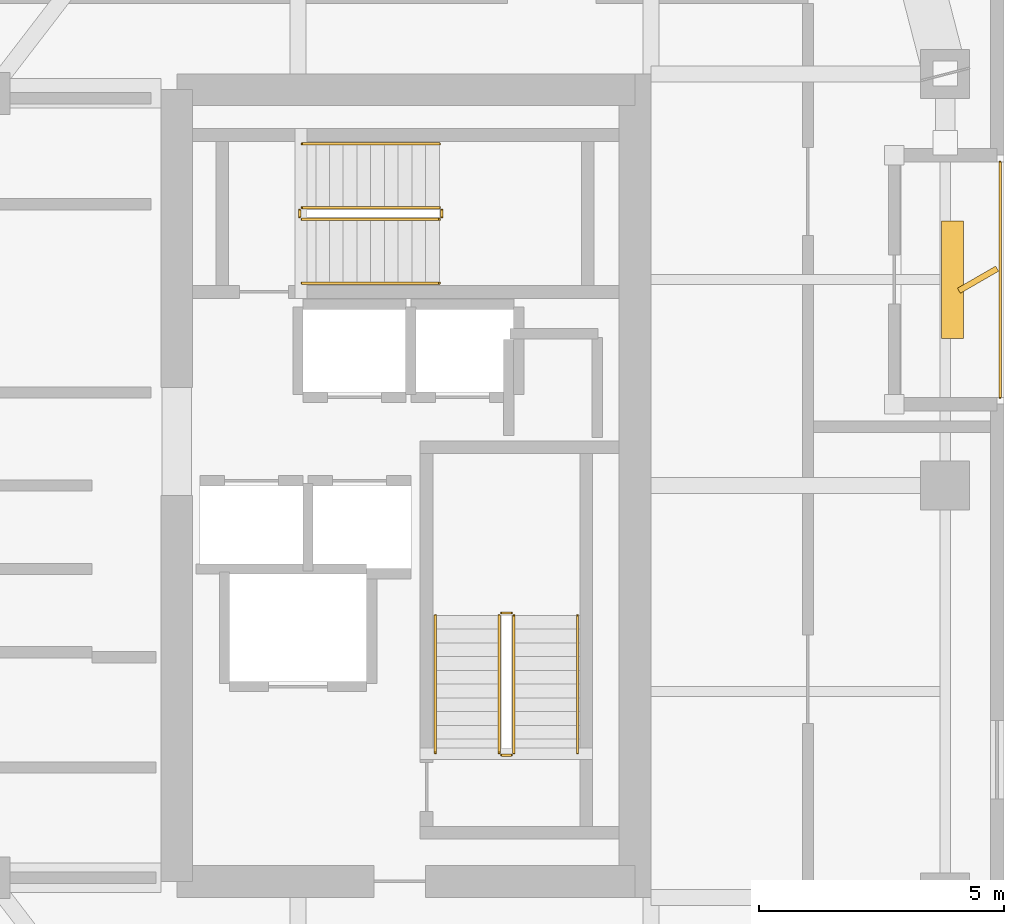
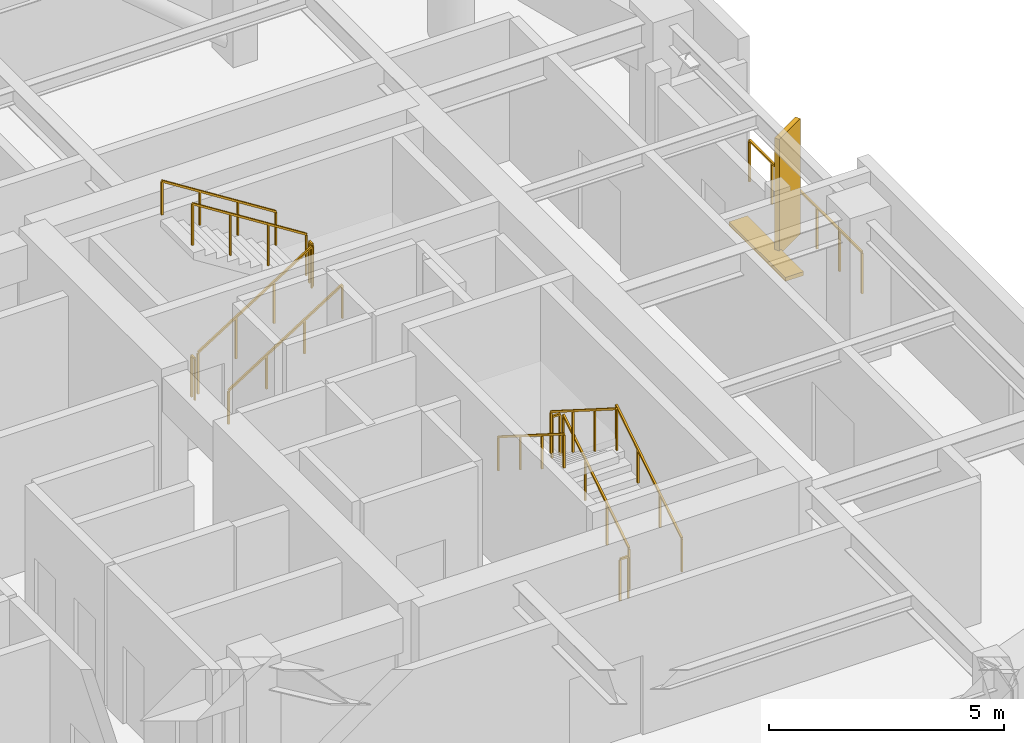
# One storey, part 15 of 16: 13 railings, 2 shading devices.
"""IFC4 building model written with IfcOpenShell, lengths in metres."""

from ifc_helpers import new_model, si_unit, direction, frame, origin, origin_2d, place, context, subcontext, project, spatial, rectangle, extrude, material, type_object, element, save


model = new_model("IFC4")

# Units and contexts
model_context = context("Model", 3, precision=1e-05, world=origin(), true_north=direction((0.0, 1.0)))
body_context = subcontext(model_context, "Body", "Model", "MODEL_VIEW")
ifc_project = project(units=[si_unit("LENGTHUNIT", "METRE"), si_unit("AREAUNIT", "SQUARE_METRE"), si_unit("VOLUMEUNIT", "CUBIC_METRE"), si_unit("PLANEANGLEUNIT", "RADIAN"), si_unit("MASSUNIT", "GRAM", prefix="KILO")], contexts=[model_context])

# Site, building, storey
site_placement = place(None, origin())
site = spatial("IfcSite", under=ifc_project, at=site_placement, CompositionType="ELEMENT")
building_placement = place(site_placement, origin())
building = spatial("IfcBuilding", under=site, at=building_placement, Name="Kiyonajd Concourse Tower", CompositionType="ELEMENT")
storey_placement = place(building_placement, frame((0.0, 0.0, 255.0)))
storey = spatial("IfcBuildingStorey", under=building, at=storey_placement, Name="L64", CompositionType="ELEMENT", Elevation=255.0)

# Railings
ifc_material_1 = material(Name="Thermally Broken Anodised Aluminium", Category="aluminium")
railing_type_1 = type_object("IfcRailingType", Name="RL-GRD-LOG", PredefinedType="GUARDRAIL", material=ifc_material_1)
railing_1_placement = place(storey_placement, frame((70.719970703125, 37.800048828125, 0.0)))
element("IfcRailing", 1, at=railing_1_placement, inside=storey, type_object=railing_type_1, Name="L64 Engawa Loggia Perimeter Guard LOG-E", PredefinedType="GUARDRAIL", context=body_context, shape_type="SweptSolid", body=[
    extrude(rectangle(XDim=0.048095703125, YDim=0.048095703125, at=origin_2d()), frame((0.0, 0.0, 1.076171875), z_axis=(0.0, 1.0, 0.0), x_axis=(-1.0, 0.0, 0.0)), (0.0, 0.0, 1.0), 4.800048828125),
    extrude(rectangle(XDim=0.0419921875, YDim=0.0419921875, at=origin_2d()), origin(), (0.0, 0.0, 1.0), 1.052001953125),
    extrude(rectangle(XDim=0.0419921875, YDim=0.0419921875, at=origin_2d()), frame((0.0, 0.9599609375, 0.0)), (0.0, 0.0, 1.0), 1.052001953125),
    extrude(rectangle(XDim=0.0419921875, YDim=0.0419921875, at=origin_2d()), frame((0.0, 1.919921875, 0.0)), (0.0, 0.0, 1.0), 1.052001953125),
    extrude(rectangle(XDim=0.0419921875, YDim=0.0419921875, at=origin_2d()), frame((0.0, 2.880126953125, 0.0)), (0.0, 0.0, 1.0), 1.052001953125),
    extrude(rectangle(XDim=0.0419921875, YDim=0.0419921875, at=origin_2d()), frame((0.0, 3.840087890625, 0.0)), (0.0, 0.0, 1.0), 1.052001953125),
    extrude(rectangle(XDim=0.0419921875, YDim=0.0419921875, at=origin_2d()), frame((0.0, 4.800048828125, 0.0)), (0.0, 0.0, 1.0), 1.052001953125),
])
ifc_material_2 = material(Name="Steel ASTM A500 Grade C", Category="steel")
railing_type_2 = type_object("IfcRailingType", Name="RL-GRD-STR", PredefinedType="GUARDRAIL", material=ifc_material_2)
railing_2_placement = place(storey_placement, frame((60.800048828125, 30.550048828125, 0.17724609375)))
element("IfcRailing", 2, at=railing_2_placement, inside=storey, type_object=railing_type_2, Name="L64 ST2 stair guard 1", PredefinedType="GUARDRAIL", context=body_context, shape_type="SweptSolid", body=[
    extrude(rectangle(XDim=0.048095703125, YDim=0.048095703125, at=origin_2d()), frame((0.0, 0.0, 1.076171875), z_axis=(0.0, 0.844908973607, 0.534910110503), x_axis=(-1.0, 0.0, 0.0)), (0.0, 0.0, 1.0), 3.31396484375),
    extrude(rectangle(XDim=0.0419921875, YDim=0.0419921875, at=origin_2d()), origin(), (0.0, 0.0, 1.0), 1.052001953125),
    extrude(rectangle(XDim=0.0419921875, YDim=0.0419921875, at=origin_2d()), frame((0.0, 0.933349609375, 0.5908203125)), (0.0, 0.0, 1.0), 1.052001953125),
    extrude(rectangle(XDim=0.0419921875, YDim=0.0419921875, at=origin_2d()), frame((0.0, 1.86669921875, 1.181884765625)), (0.0, 0.0, 1.0), 1.052001953125),
    extrude(rectangle(XDim=0.0419921875, YDim=0.0419921875, at=origin_2d()), frame((0.0, 2.800048828125, 1.772705078125)), (0.0, 0.0, 1.0), 1.052001953125),
])
railing_3_placement = place(storey_placement, frame((60.75, 33.39990234375, 1.949951171875)))
element("IfcRailing", 3, at=railing_3_placement, inside=storey, type_object=railing_type_2, Name="L64 ST2 stair guard 2", PredefinedType="GUARDRAIL", context=body_context, shape_type="SweptSolid", body=[
    extrude(rectangle(XDim=0.048095703125, YDim=0.048095703125, at=origin_2d()), frame((0.0, 0.0, 1.076171875), z_axis=(-1.0, 0.0, 0.0), x_axis=(0.0, -1.0, 0.0)), (0.0, 0.0, 1.0), 0.199951171875),
    extrude(rectangle(XDim=0.0419921875, YDim=0.0419921875, at=origin_2d()), origin(), (0.0, 0.0, 1.0), 1.052001953125),
    extrude(rectangle(XDim=0.0419921875, YDim=0.0419921875, at=origin_2d()), frame((-0.199951171875, 0.0, 0.0)), (0.0, 0.0, 1.0), 1.052001953125),
])
railing_4_placement = place(storey_placement, frame((60.5, 33.35009765625, 2.127197265625)))
element("IfcRailing", 4, at=railing_4_placement, inside=storey, type_object=railing_type_2, Name="L64 ST2 stair guard 3", PredefinedType="GUARDRAIL", context=body_context, shape_type="SweptSolid", body=[
    extrude(rectangle(XDim=0.048095703125, YDim=0.048095703125, at=origin_2d()), frame((0.0, 0.0, 1.076171875), z_axis=(0.0, -0.844908973607, 0.534910110503), x_axis=(1.0, 0.0, 0.0)), (0.0, 0.0, 1.0), 3.31396484375),
    extrude(rectangle(XDim=0.0419921875, YDim=0.0419921875, at=origin_2d()), origin(), (0.0, 0.0, 1.0), 1.052001953125),
    extrude(rectangle(XDim=0.0419921875, YDim=0.0419921875, at=origin_2d()), frame((0.0, -0.933349609375, 0.5908203125)), (0.0, 0.0, 1.0), 1.052001953125),
    extrude(rectangle(XDim=0.0419921875, YDim=0.0419921875, at=origin_2d()), frame((0.0, -1.86669921875, 1.181884765625)), (0.0, 0.0, 1.0), 1.052001953125),
    extrude(rectangle(XDim=0.0419921875, YDim=0.0419921875, at=origin_2d()), frame((0.0, -2.800048828125, 1.772705078125)), (0.0, 0.0, 1.0), 1.052001953125),
])
railing_5_placement = place(storey_placement, frame((60.75, 30.5, 0.0)))
element("IfcRailing", 5, at=railing_5_placement, inside=storey, type_object=railing_type_2, Name="L64 ST2 stair guard 4", PredefinedType="GUARDRAIL", context=body_context, shape_type="SweptSolid", body=[
    extrude(rectangle(XDim=0.048095703125, YDim=0.048095703125, at=origin_2d()), frame((0.0, 0.0, 1.076171875), z_axis=(-1.0, 0.0, 0.0), x_axis=(0.0, -1.0, 0.0)), (0.0, 0.0, 1.0), 0.199951171875),
    extrude(rectangle(XDim=0.0419921875, YDim=0.0419921875, at=origin_2d()), origin(), (0.0, 0.0, 1.0), 1.052001953125),
    extrude(rectangle(XDim=0.0419921875, YDim=0.0419921875, at=origin_2d()), frame((-0.199951171875, 0.0, 0.0)), (0.0, 0.0, 1.0), 1.052001953125),
])
railing_6_placement = place(storey_placement, frame((56.47998046875, 41.429931640625, 0.17724609375)))
element("IfcRailing", 6, at=railing_6_placement, inside=storey, type_object=railing_type_2, Name="L64 ST3 stair guard 1", PredefinedType="GUARDRAIL", context=body_context, shape_type="SweptSolid", body=[
    extrude(rectangle(XDim=0.048095703125, YDim=0.048095703125, at=origin_2d()), frame((0.0, 0.0, 1.076171875), z_axis=(0.844908973607, 0.0, 0.534910110503), x_axis=(0.0, 1.0, 0.0)), (0.0, 0.0, 1.0), 3.31396484375),
    extrude(rectangle(XDim=0.0419921875, YDim=0.0419921875, at=origin_2d()), origin(), (0.0, 0.0, 1.0), 1.052001953125),
    extrude(rectangle(XDim=0.0419921875, YDim=0.0419921875, at=origin_2d()), frame((0.933349609375, 0.0, 0.5908203125)), (0.0, 0.0, 1.0), 1.052001953125),
    extrude(rectangle(XDim=0.0419921875, YDim=0.0419921875, at=origin_2d()), frame((1.86669921875, 0.0, 1.181884765625)), (0.0, 0.0, 1.0), 1.052001953125),
    extrude(rectangle(XDim=0.0419921875, YDim=0.0419921875, at=origin_2d()), frame((2.800048828125, 0.0, 1.772705078125)), (0.0, 0.0, 1.0), 1.052001953125),
])
railing_7_placement = place(storey_placement, frame((59.330078125, 41.47998046875, 1.949951171875)))
element("IfcRailing", 7, at=railing_7_placement, inside=storey, type_object=railing_type_2, Name="L64 ST3 stair guard 2", PredefinedType="GUARDRAIL", context=body_context, shape_type="SweptSolid", body=[
    extrude(rectangle(XDim=0.048095703125, YDim=0.048095703125, at=origin_2d()), frame((0.0, 0.0, 1.076171875), z_axis=(0.0, 1.0, 0.0), x_axis=(-1.0, 0.0, 0.0)), (0.0, 0.0, 1.0), 0.14013671875),
    extrude(rectangle(XDim=0.0419921875, YDim=0.0419921875, at=origin_2d()), origin(), (0.0, 0.0, 1.0), 1.052001953125),
    extrude(rectangle(XDim=0.0419921875, YDim=0.0419921875, at=origin_2d()), frame((0.0, 0.14013671875, 0.0)), (0.0, 0.0, 1.0), 1.052001953125),
])
railing_8_placement = place(storey_placement, frame((59.280029296875, 41.669921875, 2.127197265625)))
element("IfcRailing", 8, at=railing_8_placement, inside=storey, type_object=railing_type_2, Name="L64 ST3 stair guard 3", PredefinedType="GUARDRAIL", context=body_context, shape_type="SweptSolid", body=[
    extrude(rectangle(XDim=0.048095703125, YDim=0.048095703125, at=origin_2d()), frame((0.0, 0.0, 1.076171875), z_axis=(-0.844908973607, 0.0, 0.534910110503), x_axis=(0.0, -1.0, 0.0)), (0.0, 0.0, 1.0), 3.31396484375),
    extrude(rectangle(XDim=0.0419921875, YDim=0.0419921875, at=origin_2d()), origin(), (0.0, 0.0, 1.0), 1.052001953125),
    extrude(rectangle(XDim=0.0419921875, YDim=0.0419921875, at=origin_2d()), frame((-0.933349609375, 0.0, 0.5908203125)), (0.0, 0.0, 1.0), 1.052001953125),
    extrude(rectangle(XDim=0.0419921875, YDim=0.0419921875, at=origin_2d()), frame((-1.86669921875, 0.0, 1.181884765625)), (0.0, 0.0, 1.0), 1.052001953125),
    extrude(rectangle(XDim=0.0419921875, YDim=0.0419921875, at=origin_2d()), frame((-2.800048828125, 0.0, 1.772705078125)), (0.0, 0.0, 1.0), 1.052001953125),
])
railing_9_placement = place(storey_placement, frame((56.429931640625, 41.47998046875, 0.0)))
element("IfcRailing", 9, at=railing_9_placement, inside=storey, type_object=railing_type_2, Name="L64 ST3 stair guard 4", PredefinedType="GUARDRAIL", context=body_context, shape_type="SweptSolid", body=[
    extrude(rectangle(XDim=0.048095703125, YDim=0.048095703125, at=origin_2d()), frame((0.0, 0.0, 1.076171875), z_axis=(0.0, 1.0, 0.0), x_axis=(-1.0, 0.0, 0.0)), (0.0, 0.0, 1.0), 0.14013671875),
    extrude(rectangle(XDim=0.0419921875, YDim=0.0419921875, at=origin_2d()), origin(), (0.0, 0.0, 1.0), 1.052001953125),
    extrude(rectangle(XDim=0.0419921875, YDim=0.0419921875, at=origin_2d()), frame((0.0, 0.14013671875, 0.0)), (0.0, 0.0, 1.0), 1.052001953125),
])
ifc_material_3 = material(Name="Brushed Stainless Steel Cab Assembly", Category="steel")
railing_type_3 = type_object("IfcRailingType", Name="RL-HND-900", PredefinedType="HANDRAIL", material=ifc_material_3)
railing_10_placement = place(storey_placement, frame((62.10009765625, 30.550048828125, 0.17724609375)))
element("IfcRailing", 10, at=railing_10_placement, inside=storey, type_object=railing_type_3, Name="L64 ST2 stair handrail 1", PredefinedType="HANDRAIL", context=body_context, shape_type="SweptSolid", body=[
    extrude(rectangle(XDim=0.048095703125, YDim=0.048095703125, at=origin_2d()), frame((0.0, 0.0, 0.8759765625), z_axis=(0.0, 0.844908973607, 0.534910110503), x_axis=(-1.0, 0.0, 0.0)), (0.0, 0.0, 1.0), 3.31396484375),
    extrude(rectangle(XDim=0.0419921875, YDim=0.0419921875, at=origin_2d()), origin(), (0.0, 0.0, 1.0), 0.851806640625),
    extrude(rectangle(XDim=0.0419921875, YDim=0.0419921875, at=origin_2d()), frame((0.0, 0.933349609375, 0.5908203125)), (0.0, 0.0, 1.0), 0.851806640625),
    extrude(rectangle(XDim=0.0419921875, YDim=0.0419921875, at=origin_2d()), frame((0.0, 1.86669921875, 1.181884765625)), (0.0, 0.0, 1.0), 0.851806640625),
    extrude(rectangle(XDim=0.0419921875, YDim=0.0419921875, at=origin_2d()), frame((0.0, 2.800048828125, 1.772705078125)), (0.0, 0.0, 1.0), 0.851806640625),
])
railing_11_placement = place(storey_placement, frame((59.199951171875, 33.35009765625, 2.127197265625)))
element("IfcRailing", 11, at=railing_11_placement, inside=storey, type_object=railing_type_3, Name="L64 ST2 stair handrail 2", PredefinedType="HANDRAIL", context=body_context, shape_type="SweptSolid", body=[
    extrude(rectangle(XDim=0.048095703125, YDim=0.048095703125, at=origin_2d()), frame((0.0, 0.0, 0.8759765625), z_axis=(0.0, -0.844908973607, 0.534910110503), x_axis=(1.0, 0.0, 0.0)), (0.0, 0.0, 1.0), 3.31396484375),
    extrude(rectangle(XDim=0.0419921875, YDim=0.0419921875, at=origin_2d()), origin(), (0.0, 0.0, 1.0), 0.851806640625),
    extrude(rectangle(XDim=0.0419921875, YDim=0.0419921875, at=origin_2d()), frame((0.0, -0.933349609375, 0.5908203125)), (0.0, 0.0, 1.0), 0.851806640625),
    extrude(rectangle(XDim=0.0419921875, YDim=0.0419921875, at=origin_2d()), frame((0.0, -1.86669921875, 1.181884765625)), (0.0, 0.0, 1.0), 0.851806640625),
    extrude(rectangle(XDim=0.0419921875, YDim=0.0419921875, at=origin_2d()), frame((0.0, -2.800048828125, 1.772705078125)), (0.0, 0.0, 1.0), 0.851806640625),
])
railing_12_placement = place(storey_placement, frame((56.47998046875, 40.1298828125, 0.17724609375)))
element("IfcRailing", 12, at=railing_12_placement, inside=storey, type_object=railing_type_3, Name="L64 ST3 stair handrail 1", PredefinedType="HANDRAIL", context=body_context, shape_type="SweptSolid", body=[
    extrude(rectangle(XDim=0.048095703125, YDim=0.048095703125, at=origin_2d()), frame((0.0, 0.0, 0.8759765625), z_axis=(0.844908973607, 0.0, 0.534910110503), x_axis=(0.0, 1.0, 0.0)), (0.0, 0.0, 1.0), 3.31396484375),
    extrude(rectangle(XDim=0.0419921875, YDim=0.0419921875, at=origin_2d()), origin(), (0.0, 0.0, 1.0), 0.851806640625),
    extrude(rectangle(XDim=0.0419921875, YDim=0.0419921875, at=origin_2d()), frame((0.933349609375, 0.0, 0.5908203125)), (0.0, 0.0, 1.0), 0.851806640625),
    extrude(rectangle(XDim=0.0419921875, YDim=0.0419921875, at=origin_2d()), frame((1.86669921875, 0.0, 1.181884765625)), (0.0, 0.0, 1.0), 0.851806640625),
    extrude(rectangle(XDim=0.0419921875, YDim=0.0419921875, at=origin_2d()), frame((2.800048828125, 0.0, 1.772705078125)), (0.0, 0.0, 1.0), 0.851806640625),
])
railing_13_placement = place(storey_placement, frame((59.280029296875, 42.969970703125, 2.127197265625)))
element("IfcRailing", 13, at=railing_13_placement, inside=storey, type_object=railing_type_3, Name="L64 ST3 stair handrail 2", PredefinedType="HANDRAIL", context=body_context, shape_type="SweptSolid", body=[
    extrude(rectangle(XDim=0.048095703125, YDim=0.048095703125, at=origin_2d()), frame((0.0, 0.0, 0.8759765625), z_axis=(-0.844908973607, 0.0, 0.534910110503), x_axis=(0.0, -1.0, 0.0)), (0.0, 0.0, 1.0), 3.31396484375),
    extrude(rectangle(XDim=0.0419921875, YDim=0.0419921875, at=origin_2d()), origin(), (0.0, 0.0, 1.0), 0.851806640625),
    extrude(rectangle(XDim=0.0419921875, YDim=0.0419921875, at=origin_2d()), frame((-0.933349609375, 0.0, 0.5908203125)), (0.0, 0.0, 1.0), 0.851806640625),
    extrude(rectangle(XDim=0.0419921875, YDim=0.0419921875, at=origin_2d()), frame((-1.86669921875, 0.0, 1.181884765625)), (0.0, 0.0, 1.0), 0.851806640625),
    extrude(rectangle(XDim=0.0419921875, YDim=0.0419921875, at=origin_2d()), frame((-2.800048828125, 0.0, 1.772705078125)), (0.0, 0.0, 1.0), 0.851806640625),
])

# Shading devices
ifc_material_4 = material(Name="Precast concrete C50/60", Category="concrete")
shading_device_type_1 = type_object("IfcShadingDeviceType", Name="SH-FIN-900", PredefinedType="USERDEFINED", material=ifc_material_4)
shading_device_1_placement = place(storey_placement, frame((70.27001953125, 40.199951171875, 0.0), z_axis=(0.0, 0.0, 1.0), x_axis=(0.866025403784, 0.5, 0.0)))
element("IfcShadingDevice", 14, at=shading_device_1_placement, inside=storey, type_object=shading_device_type_1, Name="L64 Angled Koshi Solar Fin LOG-E", ObjectType="FIN", PredefinedType="USERDEFINED", context=body_context, shape_type="SweptSolid", body=[
    extrude(rectangle(XDim=0.89990234375, YDim=0.1201171875, at=origin_2d()), origin(), (0.0, 0.0, 1.0), 3.0),
])
shading_device_type_2 = type_object("IfcShadingDeviceType", Name="SH-LVR-600", PredefinedType="JALOUSIE", material=ifc_material_1)
shading_device_2_placement = place(storey_placement, frame((69.75, 40.199951171875, 0.0), z_axis=(0.0, 0.0, 1.0), x_axis=(0.0, 1.0, 0.0)))
element("IfcShadingDevice", 15, at=shading_device_2_placement, inside=storey, type_object=shading_device_type_2, Name="L64 Loggia Threshold Louver LOG-E", PredefinedType="JALOUSIE", context=body_context, shape_type="SweptSolid", body=[
    extrude(rectangle(XDim=2.39990234375, YDim=0.449951171875, at=origin_2d()), origin(), (0.0, 0.0, 1.0), 0.10009765625),
])

save(model, "model.ifc")
